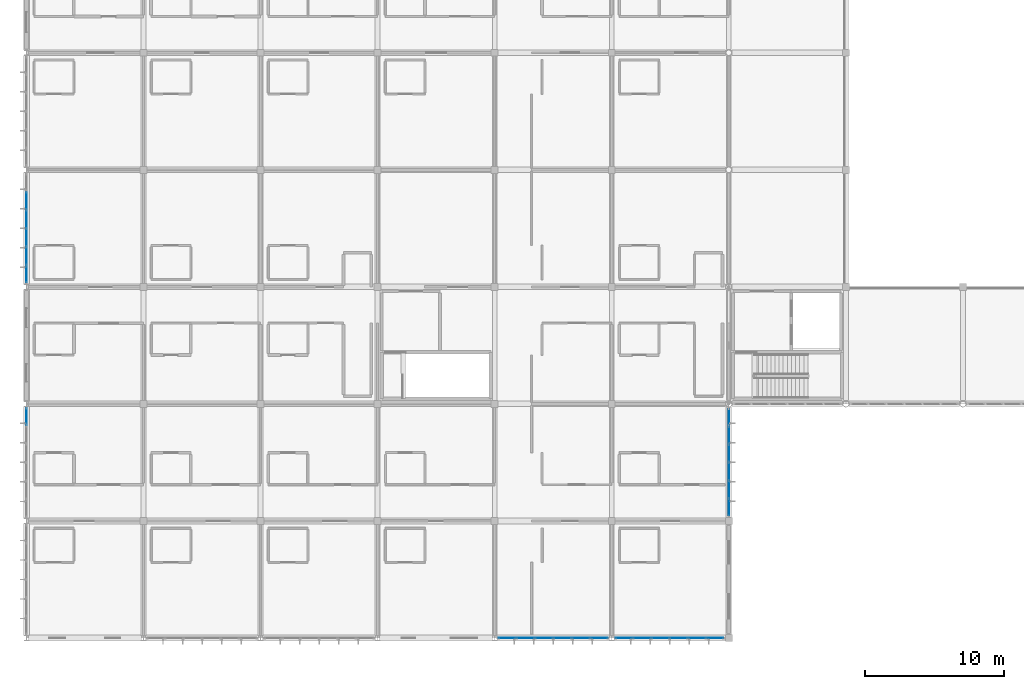
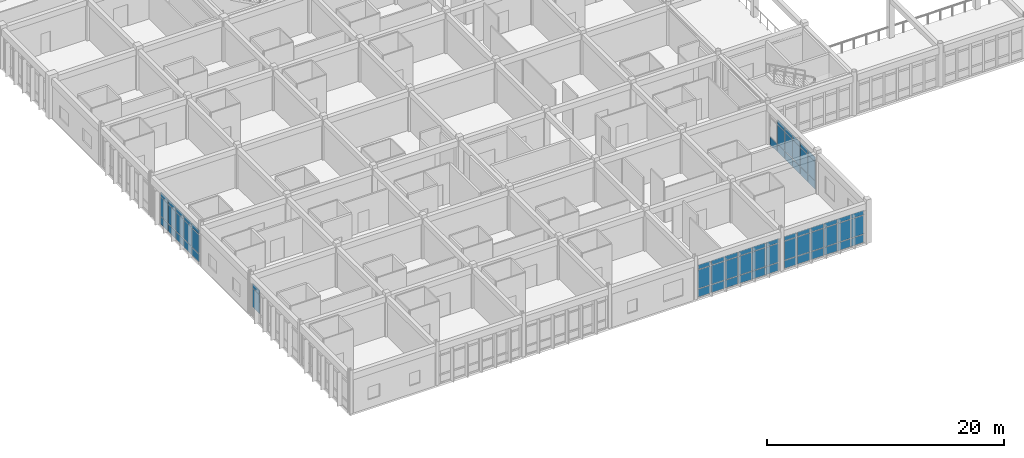
# One storey, part 71 of 144: 69 plates, 5 elements without a shape of their own.
"""IFC4 building model written with IfcOpenShell, lengths in metres."""

import ifcopenshell
import ifcopenshell.guid

model = None  # the IFC model being written
_history = None  # IfcOwnerHistory: only IFC2X3 demands one
_inside = {}  # id of a spatial element -> (the spatial element, [elements in it])
_under = {}  # id of a project, library or spatial element -> (it, [spatial elements below it])
_declared = {}  # id of a project -> (the project, [libraries it declares])
_typed = {}  # id of a type object -> (the type object, [elements of that type])
_made_of = {}  # id of a material, layer set ... -> (it, [elements and type objects made of it])


def new_model(schema):
    """Start an empty IFC model of exactly this schema.

    Asked for "IFC4X3", IfcOpenShell would pick the latest addendum, in which some entities
    have other attributes; the version numbers below select the first issue.
    IFC2X3 requires an IfcOwnerHistory on every rooted entity: one is made here for all.
    """
    global model, _history
    if schema == "IFC4X3":
        model = ifcopenshell.file(schema_version=(4, 3, 0, 0))
    else:
        model = ifcopenshell.file(schema=schema)
    _inside.clear()
    _under.clear()
    _declared.clear()
    _typed.clear()
    _made_of.clear()
    _history = None
    if model.schema == "IFC2X3":
        org = make("IfcOrganization", Name="unknown")
        user = make(
            "IfcPersonAndOrganization",
            ThePerson=make("IfcPerson", FamilyName="unknown"),
            TheOrganization=org,
        )
        app = make(
            "IfcApplication",
            ApplicationDeveloper=org,
            Version="unknown",
            ApplicationFullName="unknown",
            ApplicationIdentifier="unknown",
        )
        _history = make(
            "IfcOwnerHistory",
            OwningUser=user,
            OwningApplication=app,
            ChangeAction="ADDED",
            CreationDate=0,
        )
    return model


def make(cls, **values):
    """One entity of the class cls with the attributes given. An attribute that is None is left unset."""
    return model.create_entity(
        cls, **{name: value for name, value in values.items() if value is not None}
    )


def rooted(cls, **values):
    """An entity with a GlobalId (a new one), such as an element, a storey or a relation."""
    return make(cls, GlobalId=ifcopenshell.guid.new(), OwnerHistory=_history, **values)


def si_unit(unit_type, name, prefix=None):
    """IfcSIUnit, for example si_unit("LENGTHUNIT", "METRE", prefix="MILLI")."""
    return make("IfcSIUnit", UnitType=unit_type, Prefix=prefix, Name=name)


def assignment(units):
    """IfcUnitAssignment: the units of a project."""
    return None if units is None else make("IfcUnitAssignment", Units=units)


def point(xyz):
    """IfcCartesianPoint."""
    return None if xyz is None else make("IfcCartesianPoint", Coordinates=xyz)


def direction(xyz):
    """IfcDirection."""
    return None if xyz is None else make("IfcDirection", DirectionRatios=xyz)


def frame(location, z_axis=None, x_axis=None):
    """IfcAxis2Placement3D, a coordinate frame: its origin and axes. An axis left out is left unset."""
    return make(
        "IfcAxis2Placement3D",
        Location=point(location),
        Axis=direction(z_axis),
        RefDirection=direction(x_axis),
    )


def frame_2d(location, x_axis=None):
    """IfcAxis2Placement2D, a coordinate frame in the plane: its origin and x axis."""
    return make(
        "IfcAxis2Placement2D", Location=point(location), RefDirection=direction(x_axis)
    )


def origin():
    """The frame at (0, 0, 0) with its axes left unset."""
    return frame((0.0, 0.0, 0.0))


def origin_2d():
    """The frame at (0, 0) in the plane with its x axis left unset."""
    return frame_2d((0.0, 0.0))


def place(relative_to, where):
    """IfcLocalPlacement: puts the frame where relative to a parent placement (None: the world)."""
    return make(
        "IfcLocalPlacement", PlacementRelTo=relative_to, RelativePlacement=where
    )


def context(
    kind, dimensions, precision=None, world=None, true_north=None, identifier=None
):
    """IfcGeometricRepresentationContext, for example the 3D "Model" context."""
    return make(
        "IfcGeometricRepresentationContext",
        ContextIdentifier=identifier,
        ContextType=kind,
        CoordinateSpaceDimension=dimensions,
        Precision=precision,
        WorldCoordinateSystem=world,
        TrueNorth=true_north,
    )


def subcontext(parent, identifier, kind, view, scale=None):
    """IfcGeometricRepresentationSubContext, for example "Body" below "Model"."""
    return make(
        "IfcGeometricRepresentationSubContext",
        ContextIdentifier=identifier,
        ContextType=kind,
        ParentContext=parent,
        TargetScale=scale,
        TargetView=view,
    )


def project(units=None, contexts=None):
    """IfcProject with its units and contexts."""
    return rooted(
        "IfcProject",
        Name="project",
        RepresentationContexts=contexts,
        UnitsInContext=assignment(units),
    )


def spatial(cls, under=None, at=None, **own):
    """A site, building, storey or space (cls), placed at a placement, below another one or the project."""
    s = rooted(cls, ObjectPlacement=at, **own)
    if under is not None:
        _under.setdefault(under.id(), (under, []))[1].append(s)
    return s


def profile(cls, at=None, kind="AREA", **sizes):
    """A parametric profile (cls). Its sizes go by their IFC names, for example OverallWidth=200.0."""
    return make(cls, ProfileType=kind, Position=at, **sizes)


def rectangle(**sizes):
    """IfcRectangleProfileDef."""
    return profile("IfcRectangleProfileDef", **sizes)


def extrude(swept, where, along, depth):
    """IfcExtrudedAreaSolid: the profile swept, set in the frame where, extruded along a direction by depth."""
    return make(
        "IfcExtrudedAreaSolid",
        SweptArea=swept,
        Position=where,
        ExtrudedDirection=direction(along),
        Depth=depth,
    )


def shape(context_of_items, identifier, shape_type, items):
    """IfcShapeRepresentation: the items that make up one representation, for example the "Body"."""
    return make(
        "IfcShapeRepresentation",
        ContextOfItems=context_of_items,
        RepresentationIdentifier=identifier,
        RepresentationType=shape_type,
        Items=items,
    )


def material(Name=None, Category=None):
    """IfcMaterial."""
    return make("IfcMaterial", Name=Name, Category=Category)


def layer(
    of_material, thickness, ventilated=None, Name=None, Category=None, Priority=None
):
    """IfcMaterialLayer: one layer of a wall or slab, of a material (None: an air gap)."""
    return make(
        "IfcMaterialLayer",
        Material=of_material,
        LayerThickness=thickness,
        IsVentilated=ventilated,
        Name=Name,
        Category=Category,
        Priority=Priority,
    )


def layer_set(layers, Name=None):
    """IfcMaterialLayerSet."""
    return make("IfcMaterialLayerSet", MaterialLayers=layers, LayerSetName=Name)


def made_of(thing, what):
    """Note that an element or type object is made of a material, layer set ...; save() writes the relation."""
    if what is not None:
        _made_of.setdefault(what.id(), (what, []))[1].append(thing)
    return thing


def type_object(cls, material=None, **own):
    """A type object (cls), such as IfcWallType, which elements share."""
    return made_of(rooted(cls, **own), material)


def element(
    cls,
    number,
    at=None,
    inside=None,
    cuts=None,
    type_object=None,
    material=None,
    context=None,
    identifier="Body",
    shape_type=None,
    held_by="IfcProductDefinitionShape",
    body=None,
    shapes=None,
    **own,
):
    """One element of the class cls, such as IfcWall. Its Tag is "e" and its number.

    at: its placement. inside: the storey or other place that contains it. cuts: it is an
    opening in that element (IfcRelVoidsElement). A single representation is given by context,
    identifier, shape_type and body (its items); several are given by shapes. held_by: the class
    of the entity that holds the representations. save() writes the other relations.
    """
    e = rooted(cls, Tag="e%d" % number, ObjectPlacement=at, **own)
    if body is not None:
        shapes = [shape(context, identifier, shape_type, body)]
    if shapes is not None:
        e.Representation = make(held_by, Representations=shapes)
    if inside is not None:
        _inside.setdefault(inside.id(), (inside, []))[1].append(e)
    if cuts is not None:
        rooted(
            "IfcRelVoidsElement", RelatingBuildingElement=cuts, RelatedOpeningElement=e
        )
    if type_object is not None:
        _typed.setdefault(type_object.id(), (type_object, []))[1].append(e)
    return made_of(e, material)


def aggregate(whole, parts):
    """IfcRelAggregates: a whole, such as a stair, and the parts it consists of."""
    return rooted("IfcRelAggregates", RelatingObject=whole, RelatedObjects=parts)


def save(model, path):
    """Write the relations noted so far, then the file.

    IfcRelAggregates (storeys below a building ...), IfcRelContainedInSpatialStructure (elements
    in a storey), IfcRelDefinesByType, IfcRelAssociatesMaterial and IfcRelDeclares: one each for
    every whole, place, type object, material and project.
    """
    for whole, parts in _under.values():
        aggregate(whole, parts)
    for where, things in _inside.values():
        rooted(
            "IfcRelContainedInSpatialStructure",
            RelatedElements=things,
            RelatingStructure=where,
        )
    for kind, things in _typed.values():
        rooted("IfcRelDefinesByType", RelatedObjects=things, RelatingType=kind)
    for what, things in _made_of.values():
        rooted("IfcRelAssociatesMaterial", RelatedObjects=things, RelatingMaterial=what)
    for by, libraries in _declared.values():
        rooted("IfcRelDeclares", RelatingContext=by, RelatedDefinitions=libraries)
    model.write(path)


model = new_model("IFC4")

# Units and contexts
model_context = context("Model", 3, precision=1e-05, world=origin(), true_north=direction((0.0, 1.0)))
body_context = subcontext(model_context, "Body", "Model", "MODEL_VIEW")
ifc_project = project(units=[si_unit("LENGTHUNIT", "METRE"), si_unit("AREAUNIT", "SQUARE_METRE"), si_unit("VOLUMEUNIT", "CUBIC_METRE"), si_unit("PLANEANGLEUNIT", "RADIAN"), si_unit("MASSUNIT", "GRAM", prefix="KILO")], contexts=[model_context])

# Site, building, storey
site_placement = place(None, origin())
site = spatial("IfcSite", under=ifc_project, at=site_placement, CompositionType="ELEMENT")
building_placement = place(site_placement, origin())
building = spatial("IfcBuilding", under=site, at=building_placement, Name="Bramfleet General Hospital", CompositionType="ELEMENT")
storey_placement = place(building_placement, frame((0.0, 0.0, 4.800048828125)))
storey = spatial("IfcBuildingStorey", under=building, at=storey_placement, Name="L01", CompositionType="ELEMENT", Elevation=4.800048828125)

# Curtain wall, plates
ifc_material_1 = material(Name="Anodised aluminium and low-E triple glazing", Category="aluminium")
ifc_layer_1 = layer(ifc_material_1, 0.179931640625, Name="CWT-CW-13")
ifc_layer_set_1 = layer_set([ifc_layer_1], Name="Anodised aluminium and low-E triple glazing")
curtain_wall_type_1 = type_object("IfcCurtainWallType", Name="CWT-CW-13", PredefinedType="USERDEFINED", material=ifc_layer_set_1)
curtain_wall_1_placement = place(storey_placement, origin())
curtain_wall_1 = element("IfcCurtainWall", 1, at=curtain_wall_1_placement, inside=storey, type_object=curtain_wall_type_1, Name="L01 Curtain Wall 85", ObjectType="Stick curtain wall", PredefinedType="USERDEFINED")
ifc_material_2 = material(Name="Low-E laminated safety glass", Category="glass")
ifc_layer_2 = layer(ifc_material_2, 0.028076171875, Name="CWP-GLZ-1")
ifc_layer_set_2 = layer_set([ifc_layer_2], Name="Low-E laminated safety glass")
plate_type_1 = type_object("IfcPlateType", Name="CWP-GLZ-1", PredefinedType="CURTAIN_PANEL", material=ifc_layer_set_2)
plate_1_placement = place(storey_placement, frame((49.4033203125, 0.0, 0.06494140625), z_axis=(0.0, 0.0, 1.0), x_axis=(-1.0, 0.0, 0.0)))
plate_1 = element("IfcPlate", 2, at=plate_1_placement, type_object=plate_type_1, Name="CW-13 panel 1.1", PredefinedType="CURTAIN_PANEL", context=body_context, shape_type="SweptSolid", body=[
    extrude(rectangle(XDim=1.203369140625, YDim=0.028076171875, at=origin_2d()), origin(), (0.0, 0.0, 1.0), 0.802490234375),
])
plate_2_placement = place(storey_placement, frame((49.4033203125, 0.0, 0.9326171875), z_axis=(0.0, 0.0, 1.0), x_axis=(-1.0, 0.0, 0.0)))
plate_2 = element("IfcPlate", 3, at=plate_2_placement, type_object=plate_type_1, Name="CW-13 panel 1.2", PredefinedType="CURTAIN_PANEL", context=body_context, shape_type="SweptSolid", body=[
    extrude(rectangle(XDim=1.203369140625, YDim=0.028076171875, at=origin_2d()), origin(), (0.0, 0.0, 1.0), 1.925048828125),
])
plate_3_placement = place(storey_placement, frame((49.4033203125, 0.0, 2.92236328125), z_axis=(0.0, 0.0, 1.0), x_axis=(-1.0, 0.0, 0.0)))
plate_3 = element("IfcPlate", 4, at=plate_3_placement, type_object=plate_type_1, Name="CW-13 panel 1.3", PredefinedType="CURTAIN_PANEL", context=body_context, shape_type="SweptSolid", body=[
    extrude(rectangle(XDim=1.203369140625, YDim=0.028076171875, at=origin_2d()), origin(), (0.0, 0.0, 1.0), 0.452392578125),
])
plate_4_placement = place(storey_placement, frame((48.112548828125, 0.0, 0.06494140625), z_axis=(0.0, 0.0, 1.0), x_axis=(-1.0, 0.0, 0.0)))
plate_4 = element("IfcPlate", 5, at=plate_4_placement, type_object=plate_type_1, Name="CW-13 panel 2.1", PredefinedType="CURTAIN_PANEL", context=body_context, shape_type="SweptSolid", body=[
    extrude(rectangle(XDim=1.23828125, YDim=0.028076171875, at=origin_2d()), origin(), (0.0, 0.0, 1.0), 0.802490234375),
])
plate_5_placement = place(storey_placement, frame((48.112548828125, 0.0, 0.9326171875), z_axis=(0.0, 0.0, 1.0), x_axis=(-1.0, 0.0, 0.0)))
plate_5 = element("IfcPlate", 6, at=plate_5_placement, type_object=plate_type_1, Name="CW-13 panel 2.2", PredefinedType="CURTAIN_PANEL", context=body_context, shape_type="SweptSolid", body=[
    extrude(rectangle(XDim=1.23828125, YDim=0.028076171875, at=origin_2d()), origin(), (0.0, 0.0, 1.0), 1.925048828125),
])
plate_6_placement = place(storey_placement, frame((48.112548828125, 0.0, 2.92236328125), z_axis=(0.0, 0.0, 1.0), x_axis=(-1.0, 0.0, 0.0)))
plate_6 = element("IfcPlate", 7, at=plate_6_placement, type_object=plate_type_1, Name="CW-13 panel 2.3", PredefinedType="CURTAIN_PANEL", context=body_context, shape_type="SweptSolid", body=[
    extrude(rectangle(XDim=1.23828125, YDim=0.028076171875, at=origin_2d()), origin(), (0.0, 0.0, 1.0), 0.452392578125),
])
plate_7_placement = place(storey_placement, frame((46.80419921875, 0.0, 0.06494140625), z_axis=(0.0, 0.0, 1.0), x_axis=(-1.0, 0.0, 0.0)))
plate_7 = element("IfcPlate", 8, at=plate_7_placement, type_object=plate_type_1, Name="CW-13 panel 3.1", PredefinedType="CURTAIN_PANEL", context=body_context, shape_type="SweptSolid", body=[
    extrude(rectangle(XDim=1.23828125, YDim=0.028076171875, at=origin_2d()), origin(), (0.0, 0.0, 1.0), 0.802490234375),
])
plate_8_placement = place(storey_placement, frame((46.80419921875, 0.0, 0.9326171875), z_axis=(0.0, 0.0, 1.0), x_axis=(-1.0, 0.0, 0.0)))
plate_8 = element("IfcPlate", 9, at=plate_8_placement, type_object=plate_type_1, Name="CW-13 panel 3.2", PredefinedType="CURTAIN_PANEL", context=body_context, shape_type="SweptSolid", body=[
    extrude(rectangle(XDim=1.23828125, YDim=0.028076171875, at=origin_2d()), origin(), (0.0, 0.0, 1.0), 1.925048828125),
])
plate_9_placement = place(storey_placement, frame((46.80419921875, 0.0, 2.92236328125), z_axis=(0.0, 0.0, 1.0), x_axis=(-1.0, 0.0, 0.0)))
plate_9 = element("IfcPlate", 10, at=plate_9_placement, type_object=plate_type_1, Name="CW-13 panel 3.3", PredefinedType="CURTAIN_PANEL", context=body_context, shape_type="SweptSolid", body=[
    extrude(rectangle(XDim=1.23828125, YDim=0.028076171875, at=origin_2d()), origin(), (0.0, 0.0, 1.0), 0.452392578125),
])
plate_10_placement = place(storey_placement, frame((45.495849609375, 0.0, 0.06494140625), z_axis=(0.0, 0.0, 1.0), x_axis=(-1.0, 0.0, 0.0)))
plate_10 = element("IfcPlate", 11, at=plate_10_placement, type_object=plate_type_1, Name="CW-13 panel 4.1", PredefinedType="CURTAIN_PANEL", context=body_context, shape_type="SweptSolid", body=[
    extrude(rectangle(XDim=1.23828125, YDim=0.028076171875, at=origin_2d()), origin(), (0.0, 0.0, 1.0), 0.802490234375),
])
plate_11_placement = place(storey_placement, frame((45.495849609375, 0.0, 0.9326171875), z_axis=(0.0, 0.0, 1.0), x_axis=(-1.0, 0.0, 0.0)))
plate_11 = element("IfcPlate", 12, at=plate_11_placement, type_object=plate_type_1, Name="CW-13 panel 4.2", PredefinedType="CURTAIN_PANEL", context=body_context, shape_type="SweptSolid", body=[
    extrude(rectangle(XDim=1.23828125, YDim=0.028076171875, at=origin_2d()), origin(), (0.0, 0.0, 1.0), 1.925048828125),
])
plate_12_placement = place(storey_placement, frame((45.495849609375, 0.0, 2.92236328125), z_axis=(0.0, 0.0, 1.0), x_axis=(-1.0, 0.0, 0.0)))
plate_12 = element("IfcPlate", 13, at=plate_12_placement, type_object=plate_type_1, Name="CW-13 panel 4.3", PredefinedType="CURTAIN_PANEL", context=body_context, shape_type="SweptSolid", body=[
    extrude(rectangle(XDim=1.23828125, YDim=0.028076171875, at=origin_2d()), origin(), (0.0, 0.0, 1.0), 0.452392578125),
])
plate_13_placement = place(storey_placement, frame((44.1875, 0.0, 0.06494140625), z_axis=(0.0, 0.0, 1.0), x_axis=(-1.0, 0.0, 0.0)))
plate_13 = element("IfcPlate", 14, at=plate_13_placement, type_object=plate_type_1, Name="CW-13 panel 5.1", PredefinedType="CURTAIN_PANEL", context=body_context, shape_type="SweptSolid", body=[
    extrude(rectangle(XDim=1.23828125, YDim=0.028076171875, at=origin_2d()), origin(), (0.0, 0.0, 1.0), 0.802490234375),
])
plate_14_placement = place(storey_placement, frame((44.1875, 0.0, 0.9326171875), z_axis=(0.0, 0.0, 1.0), x_axis=(-1.0, 0.0, 0.0)))
plate_14 = element("IfcPlate", 15, at=plate_14_placement, type_object=plate_type_1, Name="CW-13 panel 5.2", PredefinedType="CURTAIN_PANEL", context=body_context, shape_type="SweptSolid", body=[
    extrude(rectangle(XDim=1.23828125, YDim=0.028076171875, at=origin_2d()), origin(), (0.0, 0.0, 1.0), 1.925048828125),
])
plate_15_placement = place(storey_placement, frame((44.1875, 0.0, 2.92236328125), z_axis=(0.0, 0.0, 1.0), x_axis=(-1.0, 0.0, 0.0)))
plate_15 = element("IfcPlate", 16, at=plate_15_placement, type_object=plate_type_1, Name="CW-13 panel 5.3", PredefinedType="CURTAIN_PANEL", context=body_context, shape_type="SweptSolid", body=[
    extrude(rectangle(XDim=1.23828125, YDim=0.028076171875, at=origin_2d()), origin(), (0.0, 0.0, 1.0), 0.452392578125),
])
plate_16_placement = place(storey_placement, frame((42.896728515625, 0.0, 0.06494140625), z_axis=(0.0, 0.0, 1.0), x_axis=(-1.0, 0.0, 0.0)))
plate_16 = element("IfcPlate", 17, at=plate_16_placement, type_object=plate_type_1, Name="CW-13 panel 6.1", PredefinedType="CURTAIN_PANEL", context=body_context, shape_type="SweptSolid", body=[
    extrude(rectangle(XDim=1.203369140625, YDim=0.028076171875, at=origin_2d()), origin(), (0.0, 0.0, 1.0), 0.802490234375),
])
plate_17_placement = place(storey_placement, frame((42.896728515625, 0.0, 0.9326171875), z_axis=(0.0, 0.0, 1.0), x_axis=(-1.0, 0.0, 0.0)))
plate_17 = element("IfcPlate", 18, at=plate_17_placement, type_object=plate_type_1, Name="CW-13 panel 6.2", PredefinedType="CURTAIN_PANEL", context=body_context, shape_type="SweptSolid", body=[
    extrude(rectangle(XDim=1.203369140625, YDim=0.028076171875, at=origin_2d()), origin(), (0.0, 0.0, 1.0), 1.925048828125),
])
plate_18_placement = place(storey_placement, frame((42.896728515625, 0.0, 2.92236328125), z_axis=(0.0, 0.0, 1.0), x_axis=(-1.0, 0.0, 0.0)))
plate_18 = element("IfcPlate", 19, at=plate_18_placement, type_object=plate_type_1, Name="CW-13 panel 6.3", PredefinedType="CURTAIN_PANEL", context=body_context, shape_type="SweptSolid", body=[
    extrude(rectangle(XDim=1.203369140625, YDim=0.028076171875, at=origin_2d()), origin(), (0.0, 0.0, 1.0), 0.452392578125),
])
aggregate(curtain_wall_1, [plate_1, plate_2, plate_3, plate_4, plate_5, plate_6, plate_7, plate_8, plate_9, plate_10, plate_11, plate_12, plate_13, plate_14, plate_15, plate_16, plate_17, plate_18])

ifc_layer_3 = layer(ifc_material_1, 0.179931640625, Name="CWT-CW-14")
ifc_layer_set_3 = layer_set([ifc_layer_3], Name="Anodised aluminium and low-E triple glazing")
curtain_wall_type_2 = type_object("IfcCurtainWallType", Name="CWT-CW-14", PredefinedType="USERDEFINED", material=ifc_layer_set_3)
curtain_wall_2_placement = place(storey_placement, origin())
curtain_wall_2 = element("IfcCurtainWall", 20, at=curtain_wall_2_placement, inside=storey, type_object=curtain_wall_type_2, Name="L01 Curtain Wall 86", ObjectType="Stick curtain wall", PredefinedType="USERDEFINED")
ifc_layer_4 = layer(ifc_material_2, 0.031982421875, Name="CWP-GLZ-2")
ifc_layer_set_4 = layer_set([ifc_layer_4], Name="Low-E laminated safety glass")
plate_type_2 = type_object("IfcPlateType", Name="CWP-GLZ-2", PredefinedType="CURTAIN_PANEL", material=ifc_layer_set_4)
plate_19_placement = place(storey_placement, frame((41.094970703125, 0.0, 0.06494140625), z_axis=(0.0, 0.0, 1.0), x_axis=(-1.0, 0.0, 0.0)))
plate_19 = element("IfcPlate", 21, at=plate_19_placement, type_object=plate_type_2, Name="CW-14 panel 1.1", PredefinedType="CURTAIN_PANEL", context=body_context, shape_type="SweptSolid", body=[
    extrude(rectangle(XDim=1.219970703125, YDim=0.031982421875, at=origin_2d()), origin(), (0.0, 0.0, 1.0), 0.802490234375),
])
plate_20_placement = place(storey_placement, frame((41.094970703125, 0.0, 0.9326171875), z_axis=(0.0, 0.0, 1.0), x_axis=(-1.0, 0.0, 0.0)))
plate_20 = element("IfcPlate", 22, at=plate_20_placement, type_object=plate_type_2, Name="CW-14 panel 1.2", PredefinedType="CURTAIN_PANEL", context=body_context, shape_type="SweptSolid", body=[
    extrude(rectangle(XDim=1.219970703125, YDim=0.031982421875, at=origin_2d()), origin(), (0.0, 0.0, 1.0), 1.925048828125),
])
plate_21_placement = place(storey_placement, frame((41.094970703125, 0.0, 2.92236328125), z_axis=(0.0, 0.0, 1.0), x_axis=(-1.0, 0.0, 0.0)))
plate_21 = element("IfcPlate", 23, at=plate_21_placement, type_object=plate_type_2, Name="CW-14 panel 1.3", PredefinedType="CURTAIN_PANEL", context=body_context, shape_type="SweptSolid", body=[
    extrude(rectangle(XDim=1.219970703125, YDim=0.031982421875, at=origin_2d()), origin(), (0.0, 0.0, 1.0), 0.452392578125),
])
plate_22_placement = place(storey_placement, frame((39.78759765625, 0.0, 0.06494140625), z_axis=(0.0, 0.0, 1.0), x_axis=(-1.0, 0.0, 0.0)))
plate_22 = element("IfcPlate", 24, at=plate_22_placement, type_object=plate_type_2, Name="CW-14 panel 2.1", PredefinedType="CURTAIN_PANEL", context=body_context, shape_type="SweptSolid", body=[
    extrude(rectangle(XDim=1.2548828125, YDim=0.031982421875, at=origin_2d()), origin(), (0.0, 0.0, 1.0), 0.802490234375),
])
plate_23_placement = place(storey_placement, frame((39.78759765625, 0.0, 0.9326171875), z_axis=(0.0, 0.0, 1.0), x_axis=(-1.0, 0.0, 0.0)))
plate_23 = element("IfcPlate", 25, at=plate_23_placement, type_object=plate_type_2, Name="CW-14 panel 2.2", PredefinedType="CURTAIN_PANEL", context=body_context, shape_type="SweptSolid", body=[
    extrude(rectangle(XDim=1.2548828125, YDim=0.031982421875, at=origin_2d()), origin(), (0.0, 0.0, 1.0), 1.925048828125),
])
plate_24_placement = place(storey_placement, frame((39.78759765625, 0.0, 2.92236328125), z_axis=(0.0, 0.0, 1.0), x_axis=(-1.0, 0.0, 0.0)))
plate_24 = element("IfcPlate", 26, at=plate_24_placement, type_object=plate_type_2, Name="CW-14 panel 2.3", PredefinedType="CURTAIN_PANEL", context=body_context, shape_type="SweptSolid", body=[
    extrude(rectangle(XDim=1.2548828125, YDim=0.031982421875, at=origin_2d()), origin(), (0.0, 0.0, 1.0), 0.452392578125),
])
plate_25_placement = place(storey_placement, frame((38.46240234375, 0.0, 0.06494140625), z_axis=(0.0, 0.0, 1.0), x_axis=(-1.0, 0.0, 0.0)))
plate_25 = element("IfcPlate", 27, at=plate_25_placement, type_object=plate_type_2, Name="CW-14 panel 3.1", PredefinedType="CURTAIN_PANEL", context=body_context, shape_type="SweptSolid", body=[
    extrude(rectangle(XDim=1.2548828125, YDim=0.031982421875, at=origin_2d()), origin(), (0.0, 0.0, 1.0), 0.802490234375),
])
plate_26_placement = place(storey_placement, frame((38.46240234375, 0.0, 0.9326171875), z_axis=(0.0, 0.0, 1.0), x_axis=(-1.0, 0.0, 0.0)))
plate_26 = element("IfcPlate", 28, at=plate_26_placement, type_object=plate_type_2, Name="CW-14 panel 3.2", PredefinedType="CURTAIN_PANEL", context=body_context, shape_type="SweptSolid", body=[
    extrude(rectangle(XDim=1.2548828125, YDim=0.031982421875, at=origin_2d()), origin(), (0.0, 0.0, 1.0), 1.925048828125),
])
plate_27_placement = place(storey_placement, frame((38.46240234375, 0.0, 2.92236328125), z_axis=(0.0, 0.0, 1.0), x_axis=(-1.0, 0.0, 0.0)))
plate_27 = element("IfcPlate", 29, at=plate_27_placement, type_object=plate_type_2, Name="CW-14 panel 3.3", PredefinedType="CURTAIN_PANEL", context=body_context, shape_type="SweptSolid", body=[
    extrude(rectangle(XDim=1.2548828125, YDim=0.031982421875, at=origin_2d()), origin(), (0.0, 0.0, 1.0), 0.452392578125),
])
plate_28_placement = place(storey_placement, frame((37.137451171875, 0.0, 0.06494140625), z_axis=(0.0, 0.0, 1.0), x_axis=(-1.0, 0.0, 0.0)))
plate_28 = element("IfcPlate", 30, at=plate_28_placement, type_object=plate_type_2, Name="CW-14 panel 4.1", PredefinedType="CURTAIN_PANEL", context=body_context, shape_type="SweptSolid", body=[
    extrude(rectangle(XDim=1.2548828125, YDim=0.031982421875, at=origin_2d()), origin(), (0.0, 0.0, 1.0), 0.802490234375),
])
plate_29_placement = place(storey_placement, frame((37.137451171875, 0.0, 0.9326171875), z_axis=(0.0, 0.0, 1.0), x_axis=(-1.0, 0.0, 0.0)))
plate_29 = element("IfcPlate", 31, at=plate_29_placement, type_object=plate_type_2, Name="CW-14 panel 4.2", PredefinedType="CURTAIN_PANEL", context=body_context, shape_type="SweptSolid", body=[
    extrude(rectangle(XDim=1.2548828125, YDim=0.031982421875, at=origin_2d()), origin(), (0.0, 0.0, 1.0), 1.925048828125),
])
plate_30_placement = place(storey_placement, frame((37.137451171875, 0.0, 2.92236328125), z_axis=(0.0, 0.0, 1.0), x_axis=(-1.0, 0.0, 0.0)))
plate_30 = element("IfcPlate", 32, at=plate_30_placement, type_object=plate_type_2, Name="CW-14 panel 4.3", PredefinedType="CURTAIN_PANEL", context=body_context, shape_type="SweptSolid", body=[
    extrude(rectangle(XDim=1.2548828125, YDim=0.031982421875, at=origin_2d()), origin(), (0.0, 0.0, 1.0), 0.452392578125),
])
plate_31_placement = place(storey_placement, frame((35.8125, 0.0, 0.06494140625), z_axis=(0.0, 0.0, 1.0), x_axis=(-1.0, 0.0, 0.0)))
plate_31 = element("IfcPlate", 33, at=plate_31_placement, type_object=plate_type_2, Name="CW-14 panel 5.1", PredefinedType="CURTAIN_PANEL", context=body_context, shape_type="SweptSolid", body=[
    extrude(rectangle(XDim=1.2548828125, YDim=0.031982421875, at=origin_2d()), origin(), (0.0, 0.0, 1.0), 0.802490234375),
])
plate_32_placement = place(storey_placement, frame((35.8125, 0.0, 0.9326171875), z_axis=(0.0, 0.0, 1.0), x_axis=(-1.0, 0.0, 0.0)))
plate_32 = element("IfcPlate", 34, at=plate_32_placement, type_object=plate_type_2, Name="CW-14 panel 5.2", PredefinedType="CURTAIN_PANEL", context=body_context, shape_type="SweptSolid", body=[
    extrude(rectangle(XDim=1.2548828125, YDim=0.031982421875, at=origin_2d()), origin(), (0.0, 0.0, 1.0), 1.925048828125),
])
plate_33_placement = place(storey_placement, frame((35.8125, 0.0, 2.92236328125), z_axis=(0.0, 0.0, 1.0), x_axis=(-1.0, 0.0, 0.0)))
plate_33 = element("IfcPlate", 35, at=plate_33_placement, type_object=plate_type_2, Name="CW-14 panel 5.3", PredefinedType="CURTAIN_PANEL", context=body_context, shape_type="SweptSolid", body=[
    extrude(rectangle(XDim=1.2548828125, YDim=0.031982421875, at=origin_2d()), origin(), (0.0, 0.0, 1.0), 0.452392578125),
])
plate_34_placement = place(storey_placement, frame((34.5048828125, 0.0, 0.06494140625), z_axis=(0.0, 0.0, 1.0), x_axis=(-1.0, 0.0, 0.0)))
plate_34 = element("IfcPlate", 36, at=plate_34_placement, type_object=plate_type_2, Name="CW-14 panel 6.1", PredefinedType="CURTAIN_PANEL", context=body_context, shape_type="SweptSolid", body=[
    extrude(rectangle(XDim=1.219970703125, YDim=0.031982421875, at=origin_2d()), origin(), (0.0, 0.0, 1.0), 0.802490234375),
])
plate_35_placement = place(storey_placement, frame((34.5048828125, 0.0, 0.9326171875), z_axis=(0.0, 0.0, 1.0), x_axis=(-1.0, 0.0, 0.0)))
plate_35 = element("IfcPlate", 37, at=plate_35_placement, type_object=plate_type_2, Name="CW-14 panel 6.2", PredefinedType="CURTAIN_PANEL", context=body_context, shape_type="SweptSolid", body=[
    extrude(rectangle(XDim=1.219970703125, YDim=0.031982421875, at=origin_2d()), origin(), (0.0, 0.0, 1.0), 1.925048828125),
])
plate_36_placement = place(storey_placement, frame((34.5048828125, 0.0, 2.92236328125), z_axis=(0.0, 0.0, 1.0), x_axis=(-1.0, 0.0, 0.0)))
plate_36 = element("IfcPlate", 38, at=plate_36_placement, type_object=plate_type_2, Name="CW-14 panel 6.3", PredefinedType="CURTAIN_PANEL", context=body_context, shape_type="SweptSolid", body=[
    extrude(rectangle(XDim=1.219970703125, YDim=0.031982421875, at=origin_2d()), origin(), (0.0, 0.0, 1.0), 0.452392578125),
])
aggregate(curtain_wall_2, [plate_19, plate_20, plate_21, plate_22, plate_23, plate_24, plate_25, plate_26, plate_27, plate_28, plate_29, plate_30, plate_31, plate_32, plate_33, plate_34, plate_35, plate_36])

ifc_layer_5 = layer(ifc_material_1, 0.179931640625, Name="CWT-CW-18")
ifc_layer_set_5 = layer_set([ifc_layer_5], Name="Anodised aluminium and low-E triple glazing")
curtain_wall_type_3 = type_object("IfcCurtainWallType", Name="CWT-CW-18", PredefinedType="USERDEFINED", material=ifc_layer_set_5)
curtain_wall_3_placement = place(storey_placement, origin())
curtain_wall_3 = element("IfcCurtainWall", 39, at=curtain_wall_3_placement, inside=storey, type_object=curtain_wall_type_3, Name="L01 Curtain Wall 90", ObjectType="Stick curtain wall", PredefinedType="USERDEFINED")
plate_37_placement = place(storey_placement, frame((0.0, 15.8701171875, 0.9326171875), z_axis=(0.0, 0.0, 1.0), x_axis=(0.0, 1.0, 0.0)))
plate_37 = element("IfcPlate", 40, at=plate_37_placement, type_object=plate_type_2, Name="CW-18 panel 6.2", PredefinedType="CURTAIN_PANEL", context=body_context, shape_type="SweptSolid", body=[
    extrude(rectangle(XDim=1.2099609375, YDim=0.031982421875, at=origin_2d()), origin(), (0.0, 0.0, 1.0), 1.925048828125),
])
plate_38_placement = place(storey_placement, frame((0.0, 15.8701171875, 2.92236328125), z_axis=(0.0, 0.0, 1.0), x_axis=(0.0, 1.0, 0.0)))
plate_38 = element("IfcPlate", 41, at=plate_38_placement, type_object=plate_type_2, Name="CW-18 panel 6.3", PredefinedType="CURTAIN_PANEL", context=body_context, shape_type="SweptSolid", body=[
    extrude(rectangle(XDim=1.2099609375, YDim=0.031982421875, at=origin_2d()), origin(), (0.0, 0.0, 1.0), 0.452392578125),
])
aggregate(curtain_wall_3, [plate_37, plate_38])

ifc_layer_6 = layer(ifc_material_1, 0.179931640625, Name="CWT-CW-01")
ifc_layer_set_6 = layer_set([ifc_layer_6], Name="Anodised aluminium and low-E triple glazing")
curtain_wall_type_4 = type_object("IfcCurtainWallType", Name="CWT-CW-01", PredefinedType="USERDEFINED", material=ifc_layer_set_6)
curtain_wall_4_placement = place(storey_placement, origin())
curtain_wall_4 = element("IfcCurtainWall", 42, at=curtain_wall_4_placement, inside=storey, type_object=curtain_wall_type_4, Name="L01 Curtain Wall 91", ObjectType="Unitised curtain wall", PredefinedType="USERDEFINED")
ifc_layer_7 = layer(ifc_material_2, 0.035888671875, Name="CWP-GLZ-3")
ifc_layer_set_7 = layer_set([ifc_layer_7], Name="Low-E laminated safety glass")
plate_type_3 = type_object("IfcPlateType", Name="CWP-GLZ-3", PredefinedType="CURTAIN_PANEL", material=ifc_layer_set_7)
plate_39_placement = place(storey_placement, frame((0.0, 26.1298828125, 0.06494140625), z_axis=(0.0, 0.0, 1.0), x_axis=(0.0, 1.0, 0.0)))
plate_39 = element("IfcPlate", 43, at=plate_39_placement, type_object=plate_type_3, Name="CW-01 panel 1.1", PredefinedType="CURTAIN_PANEL", context=body_context, shape_type="SweptSolid", body=[
    extrude(rectangle(XDim=1.2099609375, YDim=0.035888671875, at=origin_2d()), origin(), (0.0, 0.0, 1.0), 0.802490234375),
])
plate_40_placement = place(storey_placement, frame((0.0, 26.1298828125, 0.9326171875), z_axis=(0.0, 0.0, 1.0), x_axis=(0.0, 1.0, 0.0)))
plate_40 = element("IfcPlate", 44, at=plate_40_placement, type_object=plate_type_3, Name="CW-01 panel 1.2", PredefinedType="CURTAIN_PANEL", context=body_context, shape_type="SweptSolid", body=[
    extrude(rectangle(XDim=1.2099609375, YDim=0.035888671875, at=origin_2d()), origin(), (0.0, 0.0, 1.0), 1.925048828125),
])
plate_41_placement = place(storey_placement, frame((0.0, 26.1298828125, 2.92236328125), z_axis=(0.0, 0.0, 1.0), x_axis=(0.0, 1.0, 0.0)))
plate_41 = element("IfcPlate", 45, at=plate_41_placement, type_object=plate_type_3, Name="CW-01 panel 1.3", PredefinedType="CURTAIN_PANEL", context=body_context, shape_type="SweptSolid", body=[
    extrude(rectangle(XDim=1.2099609375, YDim=0.035888671875, at=origin_2d()), origin(), (0.0, 0.0, 1.0), 0.452392578125),
])
plate_42_placement = place(storey_placement, frame((0.0, 27.427490234375, 0.06494140625), z_axis=(0.0, 0.0, 1.0), x_axis=(0.0, 1.0, 0.0)))
plate_42 = element("IfcPlate", 46, at=plate_42_placement, type_object=plate_type_3, Name="CW-01 panel 2.1", PredefinedType="CURTAIN_PANEL", context=body_context, shape_type="SweptSolid", body=[
    extrude(rectangle(XDim=1.2451171875, YDim=0.035888671875, at=origin_2d()), origin(), (0.0, 0.0, 1.0), 0.802490234375),
])
plate_43_placement = place(storey_placement, frame((0.0, 27.427490234375, 0.9326171875), z_axis=(0.0, 0.0, 1.0), x_axis=(0.0, 1.0, 0.0)))
plate_43 = element("IfcPlate", 47, at=plate_43_placement, type_object=plate_type_3, Name="CW-01 panel 2.2", PredefinedType="CURTAIN_PANEL", context=body_context, shape_type="SweptSolid", body=[
    extrude(rectangle(XDim=1.2451171875, YDim=0.035888671875, at=origin_2d()), origin(), (0.0, 0.0, 1.0), 1.925048828125),
])
plate_44_placement = place(storey_placement, frame((0.0, 27.427490234375, 2.92236328125), z_axis=(0.0, 0.0, 1.0), x_axis=(0.0, 1.0, 0.0)))
plate_44 = element("IfcPlate", 48, at=plate_44_placement, type_object=plate_type_3, Name="CW-01 panel 2.3", PredefinedType="CURTAIN_PANEL", context=body_context, shape_type="SweptSolid", body=[
    extrude(rectangle(XDim=1.2451171875, YDim=0.035888671875, at=origin_2d()), origin(), (0.0, 0.0, 1.0), 0.452392578125),
])
plate_45_placement = place(storey_placement, frame((0.0, 28.742431640625, 0.06494140625), z_axis=(0.0, 0.0, 1.0), x_axis=(0.0, 1.0, 0.0)))
plate_45 = element("IfcPlate", 49, at=plate_45_placement, type_object=plate_type_3, Name="CW-01 panel 3.1", PredefinedType="CURTAIN_PANEL", context=body_context, shape_type="SweptSolid", body=[
    extrude(rectangle(XDim=1.2451171875, YDim=0.035888671875, at=origin_2d()), origin(), (0.0, 0.0, 1.0), 0.802490234375),
])
plate_46_placement = place(storey_placement, frame((0.0, 28.742431640625, 0.9326171875), z_axis=(0.0, 0.0, 1.0), x_axis=(0.0, 1.0, 0.0)))
plate_46 = element("IfcPlate", 50, at=plate_46_placement, type_object=plate_type_3, Name="CW-01 panel 3.2", PredefinedType="CURTAIN_PANEL", context=body_context, shape_type="SweptSolid", body=[
    extrude(rectangle(XDim=1.2451171875, YDim=0.035888671875, at=origin_2d()), origin(), (0.0, 0.0, 1.0), 1.925048828125),
])
plate_47_placement = place(storey_placement, frame((0.0, 28.742431640625, 2.92236328125), z_axis=(0.0, 0.0, 1.0), x_axis=(0.0, 1.0, 0.0)))
plate_47 = element("IfcPlate", 51, at=plate_47_placement, type_object=plate_type_3, Name="CW-01 panel 3.3", PredefinedType="CURTAIN_PANEL", context=body_context, shape_type="SweptSolid", body=[
    extrude(rectangle(XDim=1.2451171875, YDim=0.035888671875, at=origin_2d()), origin(), (0.0, 0.0, 1.0), 0.452392578125),
])
plate_48_placement = place(storey_placement, frame((0.0, 30.0576171875, 0.06494140625), z_axis=(0.0, 0.0, 1.0), x_axis=(0.0, 1.0, 0.0)))
plate_48 = element("IfcPlate", 52, at=plate_48_placement, type_object=plate_type_3, Name="CW-01 panel 4.1", PredefinedType="CURTAIN_PANEL", context=body_context, shape_type="SweptSolid", body=[
    extrude(rectangle(XDim=1.2451171875, YDim=0.035888671875, at=origin_2d()), origin(), (0.0, 0.0, 1.0), 0.802490234375),
])
plate_49_placement = place(storey_placement, frame((0.0, 30.0576171875, 0.9326171875), z_axis=(0.0, 0.0, 1.0), x_axis=(0.0, 1.0, 0.0)))
plate_49 = element("IfcPlate", 53, at=plate_49_placement, type_object=plate_type_3, Name="CW-01 panel 4.2", PredefinedType="CURTAIN_PANEL", context=body_context, shape_type="SweptSolid", body=[
    extrude(rectangle(XDim=1.2451171875, YDim=0.035888671875, at=origin_2d()), origin(), (0.0, 0.0, 1.0), 1.925048828125),
])
plate_50_placement = place(storey_placement, frame((0.0, 30.0576171875, 2.92236328125), z_axis=(0.0, 0.0, 1.0), x_axis=(0.0, 1.0, 0.0)))
plate_50 = element("IfcPlate", 54, at=plate_50_placement, type_object=plate_type_3, Name="CW-01 panel 4.3", PredefinedType="CURTAIN_PANEL", context=body_context, shape_type="SweptSolid", body=[
    extrude(rectangle(XDim=1.2451171875, YDim=0.035888671875, at=origin_2d()), origin(), (0.0, 0.0, 1.0), 0.452392578125),
])
plate_51_placement = place(storey_placement, frame((0.0, 31.37255859375, 0.06494140625), z_axis=(0.0, 0.0, 1.0), x_axis=(0.0, 1.0, 0.0)))
plate_51 = element("IfcPlate", 55, at=plate_51_placement, type_object=plate_type_3, Name="CW-01 panel 5.1", PredefinedType="CURTAIN_PANEL", context=body_context, shape_type="SweptSolid", body=[
    extrude(rectangle(XDim=1.2451171875, YDim=0.035888671875, at=origin_2d()), origin(), (0.0, 0.0, 1.0), 0.802490234375),
])
plate_52_placement = place(storey_placement, frame((0.0, 31.37255859375, 0.9326171875), z_axis=(0.0, 0.0, 1.0), x_axis=(0.0, 1.0, 0.0)))
plate_52 = element("IfcPlate", 56, at=plate_52_placement, type_object=plate_type_3, Name="CW-01 panel 5.2", PredefinedType="CURTAIN_PANEL", context=body_context, shape_type="SweptSolid", body=[
    extrude(rectangle(XDim=1.2451171875, YDim=0.035888671875, at=origin_2d()), origin(), (0.0, 0.0, 1.0), 1.925048828125),
])
plate_53_placement = place(storey_placement, frame((0.0, 31.37255859375, 2.92236328125), z_axis=(0.0, 0.0, 1.0), x_axis=(0.0, 1.0, 0.0)))
plate_53 = element("IfcPlate", 57, at=plate_53_placement, type_object=plate_type_3, Name="CW-01 panel 5.3", PredefinedType="CURTAIN_PANEL", context=body_context, shape_type="SweptSolid", body=[
    extrude(rectangle(XDim=1.2451171875, YDim=0.035888671875, at=origin_2d()), origin(), (0.0, 0.0, 1.0), 0.452392578125),
])
aggregate(curtain_wall_4, [plate_39, plate_40, plate_41, plate_42, plate_43, plate_44, plate_45, plate_46, plate_47, plate_48, plate_49, plate_50, plate_51, plate_52, plate_53])

ifc_layer_8 = layer(ifc_material_1, 0.179931640625, Name="CWT-CW-12")
ifc_layer_set_8 = layer_set([ifc_layer_8], Name="Anodised aluminium and low-E triple glazing")
curtain_wall_type_5 = type_object("IfcCurtainWallType", Name="CWT-CW-12", PredefinedType="USERDEFINED", material=ifc_layer_set_8)
curtain_wall_5_placement = place(storey_placement, origin())
curtain_wall_5 = element("IfcCurtainWall", 58, at=curtain_wall_5_placement, inside=storey, type_object=curtain_wall_type_5, Name="L01 Curtain Wall 84", ObjectType="Stick curtain wall", PredefinedType="USERDEFINED")
ifc_layer_9 = layer(ifc_material_2, 0.0419921875, Name="CWP-GLZ-4")
ifc_layer_set_9 = layer_set([ifc_layer_9], Name="Low-E laminated safety glass")
plate_type_4 = type_object("IfcPlateType", Name="CWP-GLZ-4", PredefinedType="CURTAIN_PANEL", material=ifc_layer_set_9)
plate_54_placement = place(storey_placement, frame((50.39990234375, 15.831787109375, 0.06494140625), z_axis=(0.0, 0.0, 1.0), x_axis=(0.0, -1.0, 0.0)))
plate_54 = element("IfcPlate", 59, at=plate_54_placement, type_object=plate_type_4, Name="CW-12 panel 1.1", PredefinedType="CURTAIN_PANEL", context=body_context, shape_type="SweptSolid", body=[
    extrude(rectangle(XDim=1.1904296875, YDim=0.0419921875, at=origin_2d()), origin(), (0.0, 0.0, 1.0), 0.802490234375),
])
plate_55_placement = place(storey_placement, frame((50.39990234375, 14.553955078125, 0.06494140625), z_axis=(0.0, 0.0, 1.0), x_axis=(0.0, -1.0, 0.0)))
plate_55 = element("IfcPlate", 60, at=plate_55_placement, type_object=plate_type_4, Name="CW-12 panel 2.1", PredefinedType="CURTAIN_PANEL", context=body_context, shape_type="SweptSolid", body=[
    extrude(rectangle(XDim=1.225341796875, YDim=0.0419921875, at=origin_2d()), origin(), (0.0, 0.0, 1.0), 0.802490234375),
])
plate_56_placement = place(storey_placement, frame((50.39990234375, 14.553955078125, 0.9326171875), z_axis=(0.0, 0.0, 1.0), x_axis=(0.0, -1.0, 0.0)))
plate_56 = element("IfcPlate", 61, at=plate_56_placement, type_object=plate_type_4, Name="CW-12 panel 2.2", PredefinedType="CURTAIN_PANEL", context=body_context, shape_type="SweptSolid", body=[
    extrude(rectangle(XDim=1.225341796875, YDim=0.0419921875, at=origin_2d()), origin(), (0.0, 0.0, 1.0), 1.925048828125),
])
plate_57_placement = place(storey_placement, frame((50.39990234375, 14.553955078125, 2.92236328125), z_axis=(0.0, 0.0, 1.0), x_axis=(0.0, -1.0, 0.0)))
plate_57 = element("IfcPlate", 62, at=plate_57_placement, type_object=plate_type_4, Name="CW-12 panel 2.3", PredefinedType="CURTAIN_PANEL", context=body_context, shape_type="SweptSolid", body=[
    extrude(rectangle(XDim=1.225341796875, YDim=0.0419921875, at=origin_2d()), origin(), (0.0, 0.0, 1.0), 0.452392578125),
])
plate_58_placement = place(storey_placement, frame((50.39990234375, 13.258544921875, 0.06494140625), z_axis=(0.0, 0.0, 1.0), x_axis=(0.0, -1.0, 0.0)))
plate_58 = element("IfcPlate", 63, at=plate_58_placement, type_object=plate_type_4, Name="CW-12 panel 3.1", PredefinedType="CURTAIN_PANEL", context=body_context, shape_type="SweptSolid", body=[
    extrude(rectangle(XDim=1.225341796875, YDim=0.0419921875, at=origin_2d()), origin(), (0.0, 0.0, 1.0), 0.802490234375),
])
plate_59_placement = place(storey_placement, frame((50.39990234375, 13.258544921875, 0.9326171875), z_axis=(0.0, 0.0, 1.0), x_axis=(0.0, -1.0, 0.0)))
plate_59 = element("IfcPlate", 64, at=plate_59_placement, type_object=plate_type_4, Name="CW-12 panel 3.2", PredefinedType="CURTAIN_PANEL", context=body_context, shape_type="SweptSolid", body=[
    extrude(rectangle(XDim=1.225341796875, YDim=0.0419921875, at=origin_2d()), origin(), (0.0, 0.0, 1.0), 1.925048828125),
])
plate_60_placement = place(storey_placement, frame((50.39990234375, 13.258544921875, 2.92236328125), z_axis=(0.0, 0.0, 1.0), x_axis=(0.0, -1.0, 0.0)))
plate_60 = element("IfcPlate", 65, at=plate_60_placement, type_object=plate_type_4, Name="CW-12 panel 3.3", PredefinedType="CURTAIN_PANEL", context=body_context, shape_type="SweptSolid", body=[
    extrude(rectangle(XDim=1.225341796875, YDim=0.0419921875, at=origin_2d()), origin(), (0.0, 0.0, 1.0), 0.452392578125),
])
plate_61_placement = place(storey_placement, frame((50.39990234375, 11.96337890625, 0.06494140625), z_axis=(0.0, 0.0, 1.0), x_axis=(0.0, -1.0, 0.0)))
plate_61 = element("IfcPlate", 66, at=plate_61_placement, type_object=plate_type_4, Name="CW-12 panel 4.1", PredefinedType="CURTAIN_PANEL", context=body_context, shape_type="SweptSolid", body=[
    extrude(rectangle(XDim=1.225341796875, YDim=0.0419921875, at=origin_2d()), origin(), (0.0, 0.0, 1.0), 0.802490234375),
])
plate_62_placement = place(storey_placement, frame((50.39990234375, 11.96337890625, 0.9326171875), z_axis=(0.0, 0.0, 1.0), x_axis=(0.0, -1.0, 0.0)))
plate_62 = element("IfcPlate", 67, at=plate_62_placement, type_object=plate_type_4, Name="CW-12 panel 4.2", PredefinedType="CURTAIN_PANEL", context=body_context, shape_type="SweptSolid", body=[
    extrude(rectangle(XDim=1.225341796875, YDim=0.0419921875, at=origin_2d()), origin(), (0.0, 0.0, 1.0), 1.925048828125),
])
plate_63_placement = place(storey_placement, frame((50.39990234375, 11.96337890625, 2.92236328125), z_axis=(0.0, 0.0, 1.0), x_axis=(0.0, -1.0, 0.0)))
plate_63 = element("IfcPlate", 68, at=plate_63_placement, type_object=plate_type_4, Name="CW-12 panel 4.3", PredefinedType="CURTAIN_PANEL", context=body_context, shape_type="SweptSolid", body=[
    extrude(rectangle(XDim=1.225341796875, YDim=0.0419921875, at=origin_2d()), origin(), (0.0, 0.0, 1.0), 0.452392578125),
])
plate_64_placement = place(storey_placement, frame((50.39990234375, 10.66796875, 0.06494140625), z_axis=(0.0, 0.0, 1.0), x_axis=(0.0, -1.0, 0.0)))
plate_64 = element("IfcPlate", 69, at=plate_64_placement, type_object=plate_type_4, Name="CW-12 panel 5.1", PredefinedType="CURTAIN_PANEL", context=body_context, shape_type="SweptSolid", body=[
    extrude(rectangle(XDim=1.225341796875, YDim=0.0419921875, at=origin_2d()), origin(), (0.0, 0.0, 1.0), 0.802490234375),
])
plate_65_placement = place(storey_placement, frame((50.39990234375, 10.66796875, 0.9326171875), z_axis=(0.0, 0.0, 1.0), x_axis=(0.0, -1.0, 0.0)))
plate_65 = element("IfcPlate", 70, at=plate_65_placement, type_object=plate_type_4, Name="CW-12 panel 5.2", PredefinedType="CURTAIN_PANEL", context=body_context, shape_type="SweptSolid", body=[
    extrude(rectangle(XDim=1.225341796875, YDim=0.0419921875, at=origin_2d()), origin(), (0.0, 0.0, 1.0), 1.925048828125),
])
plate_66_placement = place(storey_placement, frame((50.39990234375, 10.66796875, 2.92236328125), z_axis=(0.0, 0.0, 1.0), x_axis=(0.0, -1.0, 0.0)))
plate_66 = element("IfcPlate", 71, at=plate_66_placement, type_object=plate_type_4, Name="CW-12 panel 5.3", PredefinedType="CURTAIN_PANEL", context=body_context, shape_type="SweptSolid", body=[
    extrude(rectangle(XDim=1.225341796875, YDim=0.0419921875, at=origin_2d()), origin(), (0.0, 0.0, 1.0), 0.452392578125),
])
plate_67_placement = place(storey_placement, frame((50.39990234375, 9.39013671875, 0.06494140625), z_axis=(0.0, 0.0, 1.0), x_axis=(0.0, -1.0, 0.0)))
plate_67 = element("IfcPlate", 72, at=plate_67_placement, type_object=plate_type_4, Name="CW-12 panel 6.1", PredefinedType="CURTAIN_PANEL", context=body_context, shape_type="SweptSolid", body=[
    extrude(rectangle(XDim=1.1904296875, YDim=0.0419921875, at=origin_2d()), origin(), (0.0, 0.0, 1.0), 0.802490234375),
])
plate_68_placement = place(storey_placement, frame((50.39990234375, 9.39013671875, 0.9326171875), z_axis=(0.0, 0.0, 1.0), x_axis=(0.0, -1.0, 0.0)))
plate_68 = element("IfcPlate", 73, at=plate_68_placement, type_object=plate_type_4, Name="CW-12 panel 6.2", PredefinedType="CURTAIN_PANEL", context=body_context, shape_type="SweptSolid", body=[
    extrude(rectangle(XDim=1.1904296875, YDim=0.0419921875, at=origin_2d()), origin(), (0.0, 0.0, 1.0), 1.925048828125),
])
plate_69_placement = place(storey_placement, frame((50.39990234375, 9.39013671875, 2.92236328125), z_axis=(0.0, 0.0, 1.0), x_axis=(0.0, -1.0, 0.0)))
plate_69 = element("IfcPlate", 74, at=plate_69_placement, type_object=plate_type_4, Name="CW-12 panel 6.3", PredefinedType="CURTAIN_PANEL", context=body_context, shape_type="SweptSolid", body=[
    extrude(rectangle(XDim=1.1904296875, YDim=0.0419921875, at=origin_2d()), origin(), (0.0, 0.0, 1.0), 0.452392578125),
])
aggregate(curtain_wall_5, [plate_54, plate_55, plate_56, plate_57, plate_58, plate_59, plate_60, plate_61, plate_62, plate_63, plate_64, plate_65, plate_66, plate_67, plate_68, plate_69])

save(model, "model.ifc")
